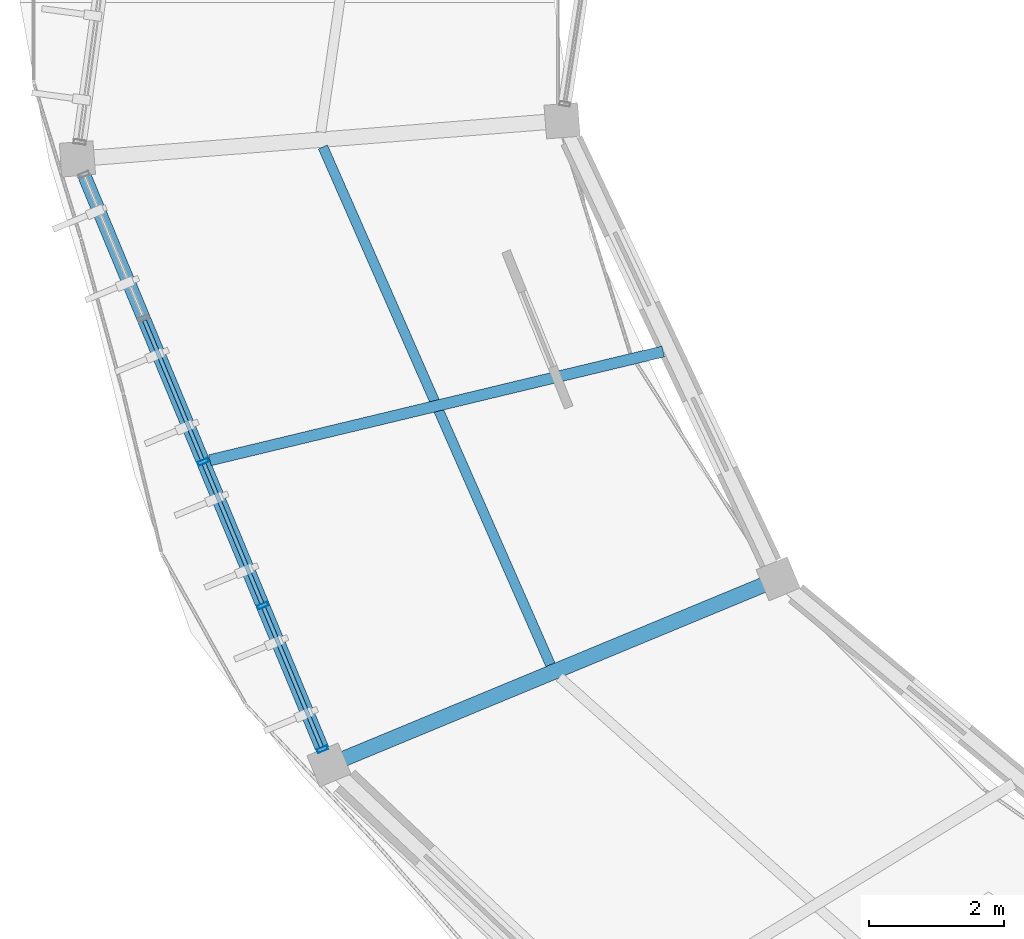
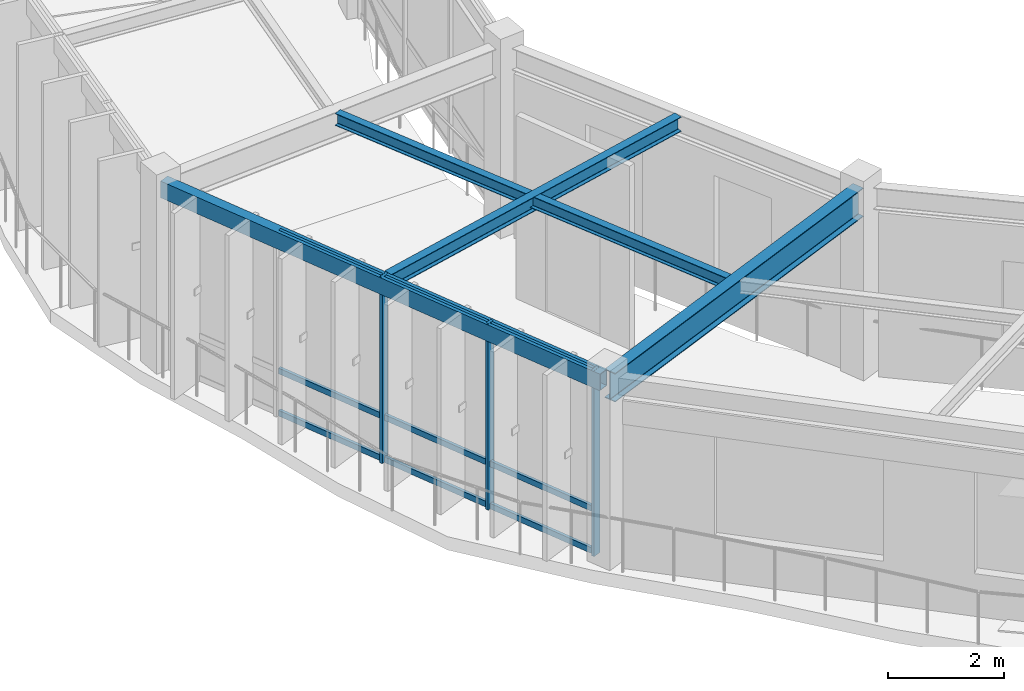
# One storey, part 8 of 78: 12 members, 4 beams, 1 element without a shape of its own.
"""IFC4 building model written with IfcOpenShell, lengths in metres."""

from ifc_helpers import new_model, si_unit, direction, frame, origin, origin_2d, place, context, subcontext, project, spatial, hollow_rectangle, i_section, extrude, material, material_profile, profile_set, type_object, element, aggregate, save


model = new_model("IFC4")

# Units and contexts
model_context = context("Model", 3, precision=1e-05, world=origin(), true_north=direction((0.0, 1.0)))
body_context = subcontext(model_context, "Body", "Model", "MODEL_VIEW")
ifc_project = project(units=[si_unit("LENGTHUNIT", "METRE"), si_unit("AREAUNIT", "SQUARE_METRE"), si_unit("VOLUMEUNIT", "CUBIC_METRE"), si_unit("PLANEANGLEUNIT", "RADIAN"), si_unit("MASSUNIT", "GRAM", prefix="KILO"), si_unit("THERMODYNAMICTEMPERATUREUNIT", "KELVIN"), si_unit("POWERUNIT", "WATT")], contexts=[model_context])

# Site, building, storey
site_placement = place(None, origin())
site = spatial("IfcSite", under=ifc_project, at=site_placement, CompositionType="ELEMENT")
building_placement = place(site_placement, origin())
building = spatial("IfcBuilding", under=site, at=building_placement, Name="Darbajah Civic Hall", CompositionType="ELEMENT")
storey_placement = place(building_placement, frame((0.0, 0.0, 26.39990234375)))
storey = spatial("IfcBuildingStorey", under=building, at=storey_placement, Name="L06", CompositionType="ELEMENT", Elevation=26.39990234375)

# Curtain wall, members
ifc_material_1 = material(Name="Anodised Bronze Aluminium and Low-E Glazing", Category="aluminium")
curtain_wall_type = type_object("IfcCurtainWallType", Name="Unitised Curtain Wall CW-82 9200x3900", PredefinedType="USERDEFINED", material=ifc_material_1)
curtain_wall_placement = place(storey_placement, origin())
curtain_wall = element("IfcCurtainWall", 1, at=curtain_wall_placement, inside=storey, type_object=curtain_wall_type, Name="L06 unitised curtain wall CW-V1O-L06-10", ObjectType="UNITISED CURTAIN WALL", PredefinedType="USERDEFINED")
ifc_material_2 = material(Name="Anodised Bronze Aluminium", Category="aluminium")
ifc_material_profile_1 = material_profile(ifc_material_2, hollow_rectangle(XDim=0.06005859375, YDim=0.159912109375, WallThickness=0.00341796875, at=origin_2d()), Name="ALU MULLION 60x160")
ifc_profile_set_1 = profile_set([ifc_material_profile_1], Name="Anodised Bronze Aluminium")
member_type_1 = type_object("IfcMemberType", Name="ALU MULLION 60x160", PredefinedType="MULLION", material=ifc_profile_set_1)
member_1_placement = place(storey_placement, frame((40.11962890625, 82.998046875, 0.0), z_axis=(0.0, 0.0, 1.0), x_axis=(0.383328328644, -0.923612143954, 0.0)))
member_1 = element("IfcMember", 2, at=member_1_placement, type_object=member_type_1, Name="CW-V1O-L06-10 mullion 3", PredefinedType="MULLION", context=body_context, shape_type="SweptSolid", body=[
    extrude(hollow_rectangle(XDim=0.06005859375, YDim=0.159912109375, WallThickness=0.00341796875, at=origin_2d()), origin(), (0.0, 0.0, 1.0), 3.920166015625),
])
member_2_placement = place(storey_placement, frame((41.002685546875, 80.870849609375, 0.0), z_axis=(0.0, 0.0, 1.0), x_axis=(0.383328328644, -0.923612143954, 0.0)))
member_2 = element("IfcMember", 3, at=member_2_placement, type_object=member_type_1, Name="CW-V1O-L06-10 mullion 4", PredefinedType="MULLION", context=body_context, shape_type="SweptSolid", body=[
    extrude(hollow_rectangle(XDim=0.06005859375, YDim=0.159912109375, WallThickness=0.00341796875, at=origin_2d()), origin(), (0.0, 0.0, 1.0), 3.920166015625),
])
member_3_placement = place(storey_placement, frame((41.885498046875, 78.743408203125, 0.0), z_axis=(0.0, 0.0, 1.0), x_axis=(0.383328328644, -0.923612143954, 0.0)))
member_3 = element("IfcMember", 4, at=member_3_placement, type_object=member_type_1, Name="CW-V1O-L06-10 mullion 5", PredefinedType="MULLION", context=body_context, shape_type="SweptSolid", body=[
    extrude(hollow_rectangle(XDim=0.06005859375, YDim=0.159912109375, WallThickness=0.00341796875, at=origin_2d()), origin(), (0.0, 0.0, 1.0), 3.920166015625),
])
ifc_material_profile_2 = material_profile(ifc_material_2, hollow_rectangle(XDim=0.06005859375, YDim=0.1201171875, WallThickness=0.003173828125, at=origin_2d()), Name="ALU TRANSOM 60x120")
ifc_profile_set_2 = profile_set([ifc_material_profile_2], Name="Anodised Bronze Aluminium")
member_type_2 = type_object("IfcMemberType", Name="ALU TRANSOM 60x120", PredefinedType="USERDEFINED", material=ifc_profile_set_2)
member_4_placement = place(storey_placement, frame((39.25, 85.093017578125, 0.06005859375), z_axis=(0.383404064946, -0.923580707347, 0.0), x_axis=(0.923580707347, 0.383404064946, 0.0)))
member_4 = element("IfcMember", 5, at=member_4_placement, type_object=member_type_2, Name="CW-V1O-L06-10 transom 2.1", ObjectType="TRANSOM", PredefinedType="USERDEFINED", context=body_context, shape_type="SweptSolid", body=[
    extrude(hollow_rectangle(XDim=0.06005859375, YDim=0.1201171875, WallThickness=0.003173828125, at=origin_2d()), origin(), (0.0, 0.0, 1.0), 2.233154296875),
])
member_5_placement = place(storey_placement, frame((39.25, 85.093017578125, 0.9501953125), z_axis=(0.383404064946, -0.923580707347, 0.0), x_axis=(0.923580707347, 0.383404064946, 0.0)))
member_5 = element("IfcMember", 6, at=member_5_placement, type_object=member_type_2, Name="CW-V1O-L06-10 transom 2.2", ObjectType="TRANSOM", PredefinedType="USERDEFINED", context=body_context, shape_type="SweptSolid", body=[
    extrude(hollow_rectangle(XDim=0.06005859375, YDim=0.1201171875, WallThickness=0.003173828125, at=origin_2d()), origin(), (0.0, 0.0, 1.0), 2.233154296875),
])
member_6_placement = place(storey_placement, frame((39.25, 85.093017578125, 3.860107421875), z_axis=(0.383404064946, -0.923580707347, 0.0), x_axis=(0.923580707347, 0.383404064946, 0.0)))
member_6 = element("IfcMember", 7, at=member_6_placement, type_object=member_type_2, Name="CW-V1O-L06-10 transom 2.3", ObjectType="TRANSOM", PredefinedType="USERDEFINED", context=body_context, shape_type="SweptSolid", body=[
    extrude(hollow_rectangle(XDim=0.06005859375, YDim=0.1201171875, WallThickness=0.003173828125, at=origin_2d()), origin(), (0.0, 0.0, 1.0), 2.233154296875),
])
member_7_placement = place(storey_placement, frame((40.133056640625, 82.9658203125, 0.06005859375), z_axis=(0.383404064946, -0.923580707347, 0.0), x_axis=(0.923580707347, 0.383404064946, 0.0)))
member_7 = element("IfcMember", 8, at=member_7_placement, type_object=member_type_2, Name="CW-V1O-L06-10 transom 3.1", ObjectType="TRANSOM", PredefinedType="USERDEFINED", context=body_context, shape_type="SweptSolid", body=[
    extrude(hollow_rectangle(XDim=0.06005859375, YDim=0.1201171875, WallThickness=0.003173828125, at=origin_2d()), origin(), (0.0, 0.0, 1.0), 2.233154296875),
])
member_8_placement = place(storey_placement, frame((40.133056640625, 82.9658203125, 0.9501953125), z_axis=(0.383404064946, -0.923580707347, 0.0), x_axis=(0.923580707347, 0.383404064946, 0.0)))
member_8 = element("IfcMember", 9, at=member_8_placement, type_object=member_type_2, Name="CW-V1O-L06-10 transom 3.2", ObjectType="TRANSOM", PredefinedType="USERDEFINED", context=body_context, shape_type="SweptSolid", body=[
    extrude(hollow_rectangle(XDim=0.06005859375, YDim=0.1201171875, WallThickness=0.003173828125, at=origin_2d()), origin(), (0.0, 0.0, 1.0), 2.233154296875),
])
member_9_placement = place(storey_placement, frame((40.133056640625, 82.9658203125, 3.860107421875), z_axis=(0.383404064946, -0.923580707347, 0.0), x_axis=(0.923580707347, 0.383404064946, 0.0)))
member_9 = element("IfcMember", 10, at=member_9_placement, type_object=member_type_2, Name="CW-V1O-L06-10 transom 3.3", ObjectType="TRANSOM", PredefinedType="USERDEFINED", context=body_context, shape_type="SweptSolid", body=[
    extrude(hollow_rectangle(XDim=0.06005859375, YDim=0.1201171875, WallThickness=0.003173828125, at=origin_2d()), origin(), (0.0, 0.0, 1.0), 2.233154296875),
])
member_10_placement = place(storey_placement, frame((41.01611328125, 80.83837890625, 0.06005859375), z_axis=(0.3833108044, -0.923619416876, 0.0), x_axis=(0.923619416876, 0.3833108044, 0.0)))
member_10 = element("IfcMember", 11, at=member_10_placement, type_object=member_type_2, Name="CW-V1O-L06-10 transom 4.1", ObjectType="TRANSOM", PredefinedType="USERDEFINED", context=body_context, shape_type="SweptSolid", body=[
    extrude(hollow_rectangle(XDim=0.06005859375, YDim=0.1201171875, WallThickness=0.003173828125, at=origin_2d()), origin(), (0.0, 0.0, 1.0), 2.233154296875),
])
member_11_placement = place(storey_placement, frame((41.01611328125, 80.83837890625, 0.9501953125), z_axis=(0.3833108044, -0.923619416876, 0.0), x_axis=(0.923619416876, 0.3833108044, 0.0)))
member_11 = element("IfcMember", 12, at=member_11_placement, type_object=member_type_2, Name="CW-V1O-L06-10 transom 4.2", ObjectType="TRANSOM", PredefinedType="USERDEFINED", context=body_context, shape_type="SweptSolid", body=[
    extrude(hollow_rectangle(XDim=0.06005859375, YDim=0.1201171875, WallThickness=0.003173828125, at=origin_2d()), origin(), (0.0, 0.0, 1.0), 2.233154296875),
])
member_12_placement = place(storey_placement, frame((41.01611328125, 80.83837890625, 3.860107421875), z_axis=(0.3833108044, -0.923619416876, 0.0), x_axis=(0.923619416876, 0.3833108044, 0.0)))
member_12 = element("IfcMember", 13, at=member_12_placement, type_object=member_type_2, Name="CW-V1O-L06-10 transom 4.3", ObjectType="TRANSOM", PredefinedType="USERDEFINED", context=body_context, shape_type="SweptSolid", body=[
    extrude(hollow_rectangle(XDim=0.06005859375, YDim=0.1201171875, WallThickness=0.003173828125, at=origin_2d()), origin(), (0.0, 0.0, 1.0), 2.233154296875),
])
aggregate(curtain_wall, [member_1, member_2, member_3, member_4, member_5, member_6, member_7, member_8, member_9, member_10, member_11, member_12])

# Beams
ifc_material_3 = material(Name="Steel S355JR", Category="steel")
ifc_material_profile_3 = material_profile(ifc_material_3, hollow_rectangle(XDim=0.199951171875, YDim=0.35009765625, WallThickness=0.012451171875, at=origin_2d()), Name="RHS 350x200x12.5")
ifc_profile_set_3 = profile_set([ifc_material_profile_3], Name="Steel S355JR")
beam_type_1 = type_object("IfcBeamType", Name="RHS 350x200x12.5", PredefinedType="SPANDREL", material=ifc_profile_set_3)
beam_1_placement = place(storey_placement, frame((38.287841796875, 87.41162109375, 3.7451171875), z_axis=(0.38333984527, -0.923607364104, 0.0), x_axis=(0.923607364104, 0.38333984527, 0.0)))
element("IfcBeam", 14, at=beam_1_placement, inside=storey, type_object=beam_type_1, Name="L06 beam SP-RHS350", PredefinedType="SPANDREL", context=body_context, shape_type="SweptSolid", body=[
    extrude(hollow_rectangle(XDim=0.199951171875, YDim=0.35009765625, WallThickness=0.012451171875, at=origin_2d()), origin(), (0.0, 0.0, 1.0), 9.556884765625),
])
ifc_material_profile_4 = material_profile(ifc_material_3, i_section(OverallWidth=0.146484375, OverallDepth=0.256103515625, WebThickness=0.00634765625, FlangeThickness=0.010986328125, FilletRadius=0.007568359375, at=origin_2d()), Name="UB 254x146x37")
ifc_profile_set_4 = profile_set([ifc_material_profile_4], Name="Steel S355JR")
beam_type_2 = type_object("IfcBeamType", Name="UB 254x146x37", PredefinedType="JOIST", material=ifc_profile_set_4)
beam_2_placement = place(storey_placement, frame((41.892822265625, 87.66162109375, 3.7919921875), z_axis=(0.402255928137, -0.915527262444, 0.0), x_axis=(0.915527262444, 0.402255928137, 0.0)))
element("IfcBeam", 15, at=beam_2_placement, inside=storey, type_object=beam_type_2, Name="L06 beam SJ-254", PredefinedType="JOIST", context=body_context, shape_type="SweptSolid", body=[
    extrude(i_section(OverallWidth=0.146484375, OverallDepth=0.256103515625, WebThickness=0.00634765625, FlangeThickness=0.010986328125, FilletRadius=0.007568359375, at=origin_2d()), origin(), (0.0, 0.0, 1.0), 8.37451171875),
])
ifc_material_profile_5 = material_profile(ifc_material_3, i_section(OverallWidth=0.165771484375, OverallDepth=0.306640625, WebThickness=0.006591796875, FlangeThickness=0.01171875, FilletRadius=0.0087890625, at=origin_2d()), Name="UB 305x165x46")
ifc_profile_set_5 = profile_set([ifc_material_profile_5], Name="Steel S355JR")
beam_type_3 = type_object("IfcBeamType", Name="UB 305x165x46", PredefinedType="JOIST", material=ifc_profile_set_5)
beam_3_placement = place(storey_placement, frame((46.931396484375, 84.633544921875, 3.766845703125), z_axis=(-0.972369643286, -0.233446518106, 0.0), x_axis=(0.233446518106, -0.972369643286, 0.0)))
element("IfcBeam", 16, at=beam_3_placement, inside=storey, type_object=beam_type_3, Name="L06 beam SJ-305", PredefinedType="JOIST", context=body_context, shape_type="SweptSolid", body=[
    extrude(i_section(OverallWidth=0.165771484375, OverallDepth=0.306640625, WebThickness=0.006591796875, FlangeThickness=0.01171875, FilletRadius=0.0087890625, at=origin_2d()), origin(), (0.0, 0.0, 1.0), 6.9033203125),
])
ifc_material_profile_6 = material_profile(ifc_material_3, i_section(OverallWidth=0.228271484375, OverallDepth=0.607666015625, WebThickness=0.010986328125, FlangeThickness=0.017333984375, FilletRadius=0.0126953125, at=origin_2d()), Name="UB 610x229x113")
ifc_profile_set_6 = profile_set([ifc_material_profile_6], Name="Steel S355JR")
beam_type_4 = type_object("IfcBeamType", Name="UB 610x229x113", PredefinedType="BEAM", material=ifc_profile_set_6)
beam_4_placement = place(storey_placement, frame((48.560302734375, 81.235595703125, 3.6162109375), z_axis=(-0.923885389571, -0.382669291867, 0.0), x_axis=(0.382669291867, -0.923885389571, 0.0)))
element("IfcBeam", 17, at=beam_4_placement, inside=storey, type_object=beam_type_4, Name="L06 beam SB-610", PredefinedType="BEAM", context=body_context, shape_type="SweptSolid", body=[
    extrude(i_section(OverallWidth=0.228271484375, OverallDepth=0.607666015625, WebThickness=0.010986328125, FlangeThickness=0.017333984375, FilletRadius=0.0126953125, at=origin_2d()), origin(), (0.0, 0.0, 1.0), 7.040283203125),
])

save(model, "model.ifc")
